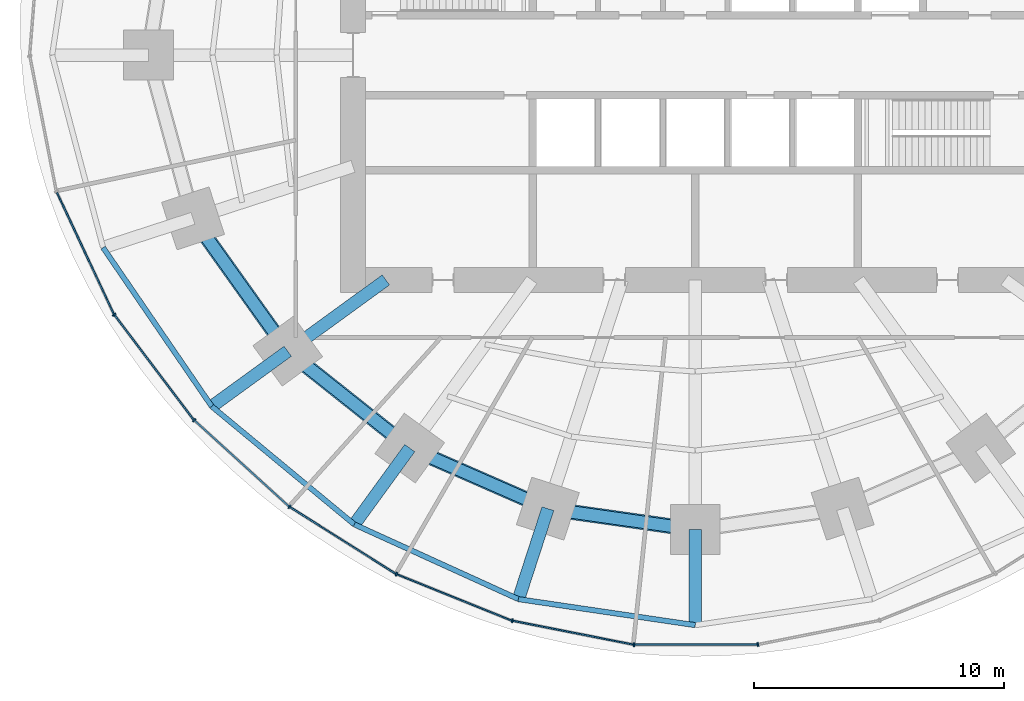
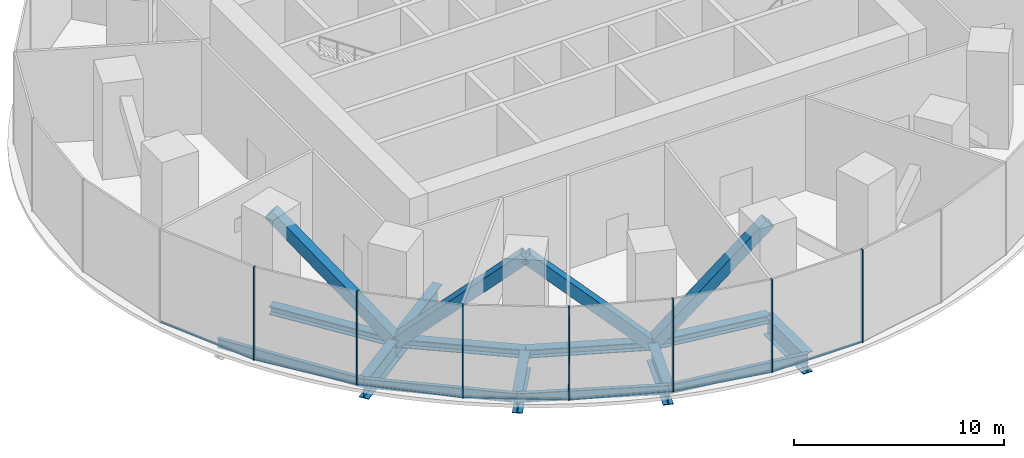
# One storey, part 2 of 13: 22 members, 9 beams, 2 elements without a shape of their own.
"""IFC4 building model written with IfcOpenShell, lengths in metres."""

from ifc_helpers import new_model, si_unit, direction, frame, origin, origin_2d, place, context, subcontext, project, spatial, rectangle, hollow_rectangle, i_section, extrude, material, material_profile, profile_set, type_object, element, aggregate, save


model = new_model("IFC4")

# Units and contexts
model_context = context("Model", 3, precision=1e-05, world=origin(), true_north=direction((0.0, 1.0)))
body_context = subcontext(model_context, "Body", "Model", "MODEL_VIEW")
ifc_project = project(units=[si_unit("LENGTHUNIT", "METRE"), si_unit("AREAUNIT", "SQUARE_METRE"), si_unit("VOLUMEUNIT", "CUBIC_METRE"), si_unit("PLANEANGLEUNIT", "RADIAN"), si_unit("MASSUNIT", "GRAM", prefix="KILO")], contexts=[model_context])

# Site, building, storey
site_placement = place(None, origin())
site = spatial("IfcSite", under=ifc_project, at=site_placement, CompositionType="ELEMENT")
building_placement = place(site_placement, origin())
building = spatial("IfcBuilding", under=site, at=building_placement, Name="Marramba Exchange Tower", CompositionType="ELEMENT")
storey_placement = place(building_placement, frame((0.0, 0.0, 86.800048828125)))
storey = spatial("IfcBuildingStorey", under=building, at=storey_placement, Name="L20", CompositionType="ELEMENT", Elevation=86.800048828125)

# Members
ifc_material_1 = material(Name="Steel AS/NZS 3679.2 grade 300", Category="steel")
ifc_material_profile_1 = material_profile(ifc_material_1, i_section(OverallWidth=0.5, OverallDepth=0.47998046875, WebThickness=0.0400390625, FlangeThickness=0.0400390625, at=origin_2d()), Name="500WC440")
ifc_profile_set_1 = profile_set([ifc_material_profile_1], Name="Steel AS/NZS 3679.2 grade 300")
member_type_1 = type_object("IfcMemberType", Name="Belt truss chord 500WC440", PredefinedType="CHORD", material=ifc_profile_set_1)
member_1_placement = place(storey_placement, frame((-20.109375, -6.533935546875, -0.43994140625), z_axis=(0.580637181111, -0.814162430914, 0.0), x_axis=(0.814162430914, 0.580637181111, 0.0)))
element("IfcMember", 1, at=member_1_placement, inside=storey, type_object=member_type_1, Name="Belt chord L20 TC12-TC13", PredefinedType="CHORD", context=body_context, shape_type="SweptSolid", body=[
    extrude(i_section(OverallWidth=0.5, OverallDepth=0.47998046875, WebThickness=0.0400390625, FlangeThickness=0.0400390625, at=origin_2d()), origin(), (0.0, 0.0, 1.0), 6.5341796875),
])
member_2_placement = place(storey_placement, frame((-16.3154296875, -11.853759765625, -0.43994140625), z_axis=(0.783139438128, -0.621846138887, 0.0), x_axis=(0.621846138887, 0.783139438128, 0.0)))
element("IfcMember", 2, at=member_2_placement, inside=storey, type_object=member_type_1, Name="Belt chord L20 TC13-TC14", PredefinedType="CHORD", context=body_context, shape_type="SweptSolid", body=[
    extrude(i_section(OverallWidth=0.5, OverallDepth=0.47998046875, WebThickness=0.0400390625, FlangeThickness=0.0400390625, at=origin_2d()), origin(), (0.0, 0.0, 1.0), 6.23779296875),
])
member_3_placement = place(storey_placement, frame((-11.430419921875, -15.732666015625, -0.43994140625), z_axis=(0.915876892158, -0.4014592363, 0.0), x_axis=(0.4014592363, 0.915876892158, 0.0)))
element("IfcMember", 3, at=member_3_placement, inside=storey, type_object=member_type_1, Name="Belt chord L20 TC14-TC15", PredefinedType="CHORD", context=body_context, shape_type="SweptSolid", body=[
    extrude(i_section(OverallWidth=0.5, OverallDepth=0.47998046875, WebThickness=0.0400390625, FlangeThickness=0.0400390625, at=origin_2d()), origin(), (0.0, 0.0, 1.0), 6.038818359375),
])
member_4_placement = place(storey_placement, frame((-5.899658203125, -18.156982421875, -0.43994140625), z_axis=(0.990036163016, -0.140813337152, 0.0), x_axis=(0.140813337152, 0.990036163016, 0.0)))
element("IfcMember", 4, at=member_4_placement, inside=storey, type_object=member_type_1, Name="Belt chord L20 TC15-TC16", PredefinedType="CHORD", context=body_context, shape_type="SweptSolid", body=[
    extrude(i_section(OverallWidth=0.5, OverallDepth=0.47998046875, WebThickness=0.0400390625, FlangeThickness=0.0400390625, at=origin_2d()), origin(), (0.0, 0.0, 1.0), 5.958984375),
])
ifc_material_2 = material(Name="Steel AS/NZS 3678 grade 350", Category="steel")
ifc_material_profile_2 = material_profile(ifc_material_2, hollow_rectangle(XDim=0.60009765625, YDim=0.60009765625, WallThickness=0.0400390625, at=origin_2d()), Name="600x600x40BOX")
ifc_profile_set_2 = profile_set([ifc_material_profile_2], Name="Steel AS/NZS 3678 grade 350")
member_type_2 = type_object("IfcMemberType", Name="Belt truss diagonal 600x600x40BOX", PredefinedType="BRACE", material=ifc_profile_set_2)
member_5_placement = place(storey_placement, frame((-20.109375, -6.533935546875, 5.159912109375), z_axis=(0.440879597365, -0.618196037746, -0.650737150885), x_axis=(0.814162430914, 0.580637181111, 0.0)))
element("IfcMember", 5, at=member_5_placement, inside=storey, type_object=member_type_2, Name="Belt truss BT20 diagonal 12", PredefinedType="BRACE", context=body_context, shape_type="SweptSolid", body=[
    extrude(hollow_rectangle(XDim=0.60009765625, YDim=0.60009765625, WallThickness=0.0400390625, at=origin_2d()), origin(), (0.0, 0.0, 1.0), 8.60546875),
])
member_6_placement = place(storey_placement, frame((-16.3154296875, -11.853759765625, -0.43994140625), z_axis=(0.582757533009, -0.462734353763, 0.668034861043), x_axis=(0.621846138887, 0.783139438128, 0.0)))
element("IfcMember", 6, at=member_6_placement, inside=storey, type_object=member_type_2, Name="Belt truss BT20 diagonal 13", PredefinedType="BRACE", context=body_context, shape_type="SweptSolid", body=[
    extrude(hollow_rectangle(XDim=0.60009765625, YDim=0.60009765625, WallThickness=0.0400390625, at=origin_2d()), origin(), (0.0, 0.0, 1.0), 8.382568359375),
])
member_7_placement = place(storey_placement, frame((-11.430419921875, -15.732666015625, 5.159912109375), z_axis=(0.67156810861, -0.294370588792, -0.679957522168), x_axis=(0.4014592363, 0.915876892158, 0.0)))
element("IfcMember", 7, at=member_7_placement, inside=storey, type_object=member_type_2, Name="Belt truss BT20 diagonal 14", PredefinedType="BRACE", context=body_context, shape_type="SweptSolid", body=[
    extrude(hollow_rectangle(XDim=0.60009765625, YDim=0.60009765625, WallThickness=0.0400390625, at=origin_2d()), origin(), (0.0, 0.0, 1.0), 8.235595703125),
])
member_8_placement = place(storey_placement, frame((-5.899658203125, -18.156982421875, -0.43994140625), z_axis=(0.721466673774, -0.102614564774, 0.684803687), x_axis=(0.140813337152, 0.990036163016, 0.0)))
element("IfcMember", 8, at=member_8_placement, inside=storey, type_object=member_type_2, Name="Belt truss BT20 diagonal 15", PredefinedType="BRACE", context=body_context, shape_type="SweptSolid", body=[
    extrude(hollow_rectangle(XDim=0.60009765625, YDim=0.60009765625, WallThickness=0.0400390625, at=origin_2d()), origin(), (0.0, 0.0, 1.0), 8.17724609375),
])

# Beams
ifc_material_profile_3 = material_profile(ifc_material_1, i_section(OverallWidth=0.5, OverallDepth=1.199951171875, WebThickness=0.01611328125, FlangeThickness=0.0400390625, at=origin_2d()), Name="1200WB455")
ifc_profile_set_3 = profile_set([ifc_material_profile_3], Name="Steel AS/NZS 3679.2 grade 300")
beam_type_1 = type_object("IfcBeamType", Name="Cantilever girder 1200WB455", PredefinedType="BEAM", material=ifc_profile_set_3)
beam_1_placement = place(storey_placement, frame((-16.3154296875, -11.853759765625, -0.800048828125), z_axis=(-0.809008346081, -0.587797155463, 0.0), x_axis=(0.587797155463, -0.809008346081, 0.0)))
element("IfcBeam", 9, at=beam_1_placement, inside=storey, type_object=beam_type_1, Name="Cantilever girder L20 TC13", PredefinedType="BEAM", context=body_context, shape_type="SweptSolid", body=[
    extrude(i_section(OverallWidth=0.5, OverallDepth=1.199951171875, WebThickness=0.01611328125, FlangeThickness=0.0400390625, at=origin_2d()), origin(), (0.0, 0.0, 1.0), 3.76025390625),
])
beam_2_placement = place(storey_placement, frame((-11.430419921875, -15.732666015625, -0.800048828125), z_axis=(-0.587787232741, -0.809015555491, 0.0), x_axis=(0.809015555491, -0.587787232741, 0.0)))
element("IfcBeam", 10, at=beam_2_placement, inside=storey, type_object=beam_type_1, Name="Cantilever girder L20 TC14", PredefinedType="BEAM", context=body_context, shape_type="SweptSolid", body=[
    extrude(i_section(OverallWidth=0.5, OverallDepth=1.199951171875, WebThickness=0.01611328125, FlangeThickness=0.0400390625, at=origin_2d()), origin(), (0.0, 0.0, 1.0), 3.7763671875),
])
beam_3_placement = place(storey_placement, frame((-5.899658203125, -18.156982421875, -0.800048828125), z_axis=(-0.309009272901, -0.951059025119, 0.0), x_axis=(0.951059025119, -0.309009272901, 0.0)))
element("IfcBeam", 11, at=beam_3_placement, inside=storey, type_object=beam_type_1, Name="Cantilever girder L20 TC15", PredefinedType="BEAM", context=body_context, shape_type="SweptSolid", body=[
    extrude(i_section(OverallWidth=0.5, OverallDepth=1.199951171875, WebThickness=0.01611328125, FlangeThickness=0.0400390625, at=origin_2d()), origin(), (0.0, 0.0, 1.0), 3.809814453125),
])
beam_4_placement = place(storey_placement, frame((0.0, -18.99609375, -0.800048828125), z_axis=(0.0, -1.0, 0.0), x_axis=(1.0, 0.0, 0.0)))
element("IfcBeam", 12, at=beam_4_placement, inside=storey, type_object=beam_type_1, Name="Cantilever girder L20 TC16", PredefinedType="BEAM", context=body_context, shape_type="SweptSolid", body=[
    extrude(i_section(OverallWidth=0.5, OverallDepth=1.199951171875, WebThickness=0.01611328125, FlangeThickness=0.0400390625, at=origin_2d()), origin(), (0.0, 0.0, 1.0), 3.825927734375),
])

# Curtain wall, members
ifc_material_3 = material(Name="Aluminium framing, bronze anodised", Category="aluminium")
curtain_wall_type = type_object("IfcCurtainWallType", Name="Plant floor louvred curtain wall", PredefinedType="USERDEFINED", material=ifc_material_3)
curtain_wall_1_placement = place(storey_placement, origin())
curtain_wall_1 = element("IfcCurtainWall", 13, at=curtain_wall_1_placement, inside=storey, type_object=curtain_wall_type, Name="Curtain wall CW6 L20 F16-F20", ObjectType="RIBBON CURTAIN WALL", PredefinedType="USERDEFINED")
ifc_material_4 = material(Name="Aluminium mullion, bronze anodised", Category="aluminium")
ifc_material_profile_4 = material_profile(ifc_material_4, rectangle(XDim=0.159912109375, YDim=0.06005859375, at=origin_2d()), Name="CW6 mullion 60x160")
ifc_profile_set_4 = profile_set([ifc_material_profile_4], Name="Aluminium mullion, bronze anodised")
member_type_3 = type_object("IfcMemberType", Name="Plant floor louvred curtain wall mullion", PredefinedType="MULLION", material=ifc_profile_set_4)
member_9_placement = place(storey_placement, frame((-23.26318359375, -10.389404296875, 0.0), z_axis=(0.0, 0.0, 1.0), x_axis=(0.797710591138, 0.603040473588, 0.0)))
member_9 = element("IfcMember", 14, at=member_9_placement, type_object=member_type_3, Name="CW6 mullion 1", PredefinedType="MULLION", context=body_context, shape_type="SweptSolid", body=[
    extrude(rectangle(XDim=0.159912109375, YDim=0.06005859375, at=origin_2d()), origin(), (0.0, 0.0, 1.0), 5.39990234375),
])
member_10_placement = place(storey_placement, frame((-20.063232421875, -14.61328125, 0.0), z_axis=(0.0, 0.0, 1.0), x_axis=(0.673058133441, 0.739589581463, 0.0)))
member_10 = element("IfcMember", 15, at=member_10_placement, type_object=member_type_3, Name="CW6 mullion 1", PredefinedType="MULLION", context=body_context, shape_type="SweptSolid", body=[
    extrude(rectangle(XDim=0.159912109375, YDim=0.06005859375, at=origin_2d()), origin(), (0.0, 0.0, 1.0), 5.39990234375),
])
member_11_placement = place(storey_placement, frame((-16.242431640625, -18.083251953125, 0.0), z_axis=(0.0, 0.0, 1.0), x_axis=(0.533514646612, 0.845790826298, 0.0)))
member_11 = element("IfcMember", 16, at=member_11_placement, type_object=member_type_3, Name="CW6 mullion 1", PredefinedType="MULLION", context=body_context, shape_type="SweptSolid", body=[
    extrude(rectangle(XDim=0.159912109375, YDim=0.06005859375, at=origin_2d()), origin(), (0.0, 0.0, 1.0), 5.39990234375),
])

curtain_wall_2_placement = place(storey_placement, origin())
curtain_wall_2 = element("IfcCurtainWall", 17, at=curtain_wall_2_placement, inside=storey, type_object=curtain_wall_type, Name="Curtain wall CW6 L20 F21-F25", ObjectType="RIBBON CURTAIN WALL", PredefinedType="USERDEFINED")
member_12_placement = place(storey_placement, frame((-11.96142578125, -20.77734375, 0.0), z_axis=(0.0, 0.0, 1.0), x_axis=(0.374218219325, 0.927340673283, 0.0)))
member_12 = element("IfcMember", 18, at=member_12_placement, type_object=member_type_3, Name="CW6 mullion 1", PredefinedType="MULLION", context=body_context, shape_type="SweptSolid", body=[
    extrude(rectangle(XDim=0.159912109375, YDim=0.06005859375, at=origin_2d()), origin(), (0.0, 0.0, 1.0), 5.39990234375),
])
member_13_placement = place(storey_placement, frame((-7.325439453125, -22.64208984375, 0.0), z_axis=(0.0, 0.0, 1.0), x_axis=(0.193961202977, 0.98100920064, 0.0)))
member_13 = element("IfcMember", 19, at=member_13_placement, type_object=member_type_3, Name="CW6 mullion 1", PredefinedType="MULLION", context=body_context, shape_type="SweptSolid", body=[
    extrude(rectangle(XDim=0.159912109375, YDim=0.06005859375, at=origin_2d()), origin(), (0.0, 0.0, 1.0), 5.39990234375),
])
member_14_placement = place(storey_placement, frame((-2.450439453125, -23.599853515625, 0.0), z_axis=(0.0, 0.0, 1.0), x_axis=(0.0, 1.0, 0.0)))
member_14 = element("IfcMember", 20, at=member_14_placement, type_object=member_type_3, Name="CW6 mullion 1", PredefinedType="MULLION", context=body_context, shape_type="SweptSolid", body=[
    extrude(rectangle(XDim=0.159912109375, YDim=0.06005859375, at=origin_2d()), origin(), (0.0, 0.0, 1.0), 5.39990234375),
])
member_15_placement = place(storey_placement, frame((2.509765625, -23.59423828125, 0.0), z_axis=(0.0, 0.0, 1.0), x_axis=(-0.193961202977, 0.98100920064, 0.0)))
member_15 = element("IfcMember", 21, at=member_15_placement, type_object=member_type_3, Name="CW6 mullion 1", PredefinedType="MULLION", context=body_context, shape_type="SweptSolid", body=[
    extrude(rectangle(XDim=0.159912109375, YDim=0.06005859375, at=origin_2d()), origin(), (0.0, 0.0, 1.0), 5.39990234375),
])

# Member
ifc_material_5 = material(Name="Aluminium transom, bronze anodised", Category="aluminium")
ifc_material_profile_5 = material_profile(ifc_material_5, rectangle(XDim=0.06005859375, YDim=0.1201171875, at=origin_2d()), Name="CW6 transom 60x120")
ifc_profile_set_5 = profile_set([ifc_material_profile_5], Name="Aluminium transom, bronze anodised")
member_type_4 = type_object("IfcMemberType", Name="Plant floor louvred curtain wall transom", PredefinedType="USERDEFINED", material=ifc_profile_set_5)
member_16_placement = place(storey_placement, frame((-25.559326171875, -5.492431640625, 0.030029296875), z_axis=(0.423494101671, -0.905898860718, 0.0), x_axis=(0.905898860718, 0.423494101671, 0.0)))
member_16 = element("IfcMember", 22, at=member_16_placement, type_object=member_type_4, Name="CW6 sill transom", ObjectType="TRANSOM", PredefinedType="USERDEFINED", context=body_context, shape_type="SweptSolid", body=[
    extrude(rectangle(XDim=0.06005859375, YDim=0.1201171875, at=origin_2d()), origin(), (0.0, 0.0, 1.0), 5.379150390625),
])

member_17_placement = place(storey_placement, frame((-23.2451171875, -10.413330078125, 0.030029296875), z_axis=(0.603037409419, -0.797712907531, 0.0), x_axis=(0.797712907531, 0.603037409419, 0.0)))
member_17 = element("IfcMember", 23, at=member_17_placement, type_object=member_type_4, Name="CW6 sill transom", ObjectType="TRANSOM", PredefinedType="USERDEFINED", context=body_context, shape_type="SweptSolid", body=[
    extrude(rectangle(XDim=0.06005859375, YDim=0.1201171875, at=origin_2d()), origin(), (0.0, 0.0, 1.0), 5.239501953125),
])

member_18_placement = place(storey_placement, frame((-20.041015625, -14.63330078125, 0.030029296875), z_axis=(0.739582688456, -0.673065707741, 0.0), x_axis=(0.673065707741, 0.739582688456, 0.0)))
member_18 = element("IfcMember", 24, at=member_18_placement, type_object=member_type_4, Name="CW6 sill transom", ObjectType="TRANSOM", PredefinedType="USERDEFINED", context=body_context, shape_type="SweptSolid", body=[
    extrude(rectangle(XDim=0.06005859375, YDim=0.1201171875, at=origin_2d()), origin(), (0.0, 0.0, 1.0), 5.101806640625),
])

member_19_placement = place(storey_placement, frame((-16.217041015625, -18.09912109375, 0.030029296875), z_axis=(0.845776602594, -0.533537195053, 0.0), x_axis=(0.533537195053, 0.845776602594, 0.0)))
member_19 = element("IfcMember", 25, at=member_19_placement, type_object=member_type_4, Name="CW6 sill transom", ObjectType="TRANSOM", PredefinedType="USERDEFINED", context=body_context, shape_type="SweptSolid", body=[
    extrude(rectangle(XDim=0.06005859375, YDim=0.1201171875, at=origin_2d()), origin(), (0.0, 0.0, 1.0), 4.998779296875),
])

aggregate(curtain_wall_1, [member_16, member_9, member_17, member_10, member_18, member_11, member_19])

member_20_placement = place(storey_placement, frame((-11.93359375, -20.78857421875, 0.030029296875), z_axis=(0.927340197166, -0.374219399176, 0.0), x_axis=(0.374219399176, 0.927340197166, 0.0)))
member_20 = element("IfcMember", 26, at=member_20_placement, type_object=member_type_4, Name="CW6 sill transom", ObjectType="TRANSOM", PredefinedType="USERDEFINED", context=body_context, shape_type="SweptSolid", body=[
    extrude(rectangle(XDim=0.06005859375, YDim=0.1201171875, at=origin_2d()), origin(), (0.0, 0.0, 1.0), 4.937255859375),
])

member_21_placement = place(storey_placement, frame((-7.296142578125, -22.64794921875, 0.030029296875), z_axis=(0.981018169547, -0.193915834883, 0.0), x_axis=(0.193915834883, 0.981018169547, 0.0)))
member_21 = element("IfcMember", 27, at=member_21_placement, type_object=member_type_4, Name="CW6 sill transom", ObjectType="TRANSOM", PredefinedType="USERDEFINED", context=body_context, shape_type="SweptSolid", body=[
    extrude(rectangle(XDim=0.06005859375, YDim=0.1201171875, at=origin_2d()), origin(), (0.0, 0.0, 1.0), 4.908935546875),
])

member_22_placement = place(storey_placement, frame((-2.42041015625, -23.599853515625, 0.030029296875), z_axis=(1.0, 0.0, 0.0), x_axis=(0.0, 1.0, 0.0)))
member_22 = element("IfcMember", 28, at=member_22_placement, type_object=member_type_4, Name="CW6 sill transom", ObjectType="TRANSOM", PredefinedType="USERDEFINED", context=body_context, shape_type="SweptSolid", body=[
    extrude(rectangle(XDim=0.06005859375, YDim=0.1201171875, at=origin_2d()), origin(), (0.0, 0.0, 1.0), 4.90087890625),
])

aggregate(curtain_wall_2, [member_12, member_20, member_13, member_21, member_14, member_22, member_15])

# Beams
ifc_material_profile_6 = material_profile(ifc_material_1, i_section(OverallWidth=0.5, OverallDepth=1.199951171875, WebThickness=0.01611328125, FlangeThickness=0.0400390625, at=origin_2d()), Name="1200WB455")
ifc_profile_set_6 = profile_set([ifc_material_profile_6], Name="Steel AS/NZS 3679.2 grade 300")
beam_type_2 = type_object("IfcBeamType", Name="Radial girder 1200WB455", PredefinedType="BEAM", material=ifc_profile_set_6)
beam_5_placement = place(storey_placement, frame((-12.387451171875, -9.0, -0.800048828125), z_axis=(-0.809025189606, -0.58777397236, 0.0), x_axis=(0.58777397236, -0.809025189606, 0.0)))
element("IfcBeam", 29, at=beam_5_placement, inside=storey, type_object=beam_type_2, Name="Radial girder L20 TC13", PredefinedType="BEAM", context=body_context, shape_type="SweptSolid", body=[
    extrude(i_section(OverallWidth=0.5, OverallDepth=1.199951171875, WebThickness=0.01611328125, FlangeThickness=0.0400390625, at=origin_2d()), origin(), (0.0, 0.0, 1.0), 4.855224609375),
])
ifc_material_6 = material(Name="Steel AS/NZS 3679.1 grade 300", Category="steel")
ifc_material_profile_7 = material_profile(ifc_material_6, i_section(OverallWidth=0.208984375, OverallDepth=0.528076171875, WebThickness=0.009521484375, FlangeThickness=0.01318359375, FilletRadius=0.013916015625, at=origin_2d()), Name="530UB82.0")
ifc_profile_set_7 = profile_set([ifc_material_profile_7], Name="Steel AS/NZS 3679.1 grade 300")
beam_type_3 = type_object("IfcBeamType", Name="Slab edge beam 530UB82.0", PredefinedType="SPANDREL", material=ifc_profile_set_7)
beam_6_placement = place(storey_placement, frame((-23.709716796875, -7.703857421875, -0.464111328125), z_axis=(0.564740697285, -0.82526840775, 0.0), x_axis=(0.82526840775, 0.564740697285, 0.0)))
element("IfcBeam", 30, at=beam_6_placement, inside=storey, type_object=beam_type_3, Name="Slab edge beam L20 TC12-TC13", PredefinedType="SPANDREL", context=body_context, shape_type="SweptSolid", body=[
    extrude(i_section(OverallWidth=0.208984375, OverallDepth=0.528076171875, WebThickness=0.009521484375, FlangeThickness=0.01318359375, FilletRadius=0.013916015625, at=origin_2d()), origin(), (0.0, 0.0, 1.0), 7.706787109375),
])
beam_7_placement = place(storey_placement, frame((-19.357421875, -14.06396484375, -0.464111328125), z_axis=(0.770353575372, -0.637616945283, 0.0), x_axis=(0.637616945283, 0.770353575372, 0.0)))
element("IfcBeam", 31, at=beam_7_placement, inside=storey, type_object=beam_type_3, Name="Slab edge beam L20 TC13-TC14", PredefinedType="SPANDREL", context=body_context, shape_type="SweptSolid", body=[
    extrude(i_section(OverallWidth=0.208984375, OverallDepth=0.528076171875, WebThickness=0.009521484375, FlangeThickness=0.01318359375, FilletRadius=0.013916015625, at=origin_2d()), origin(), (0.0, 0.0, 1.0), 7.40869140625),
])
beam_8_placement = place(storey_placement, frame((-13.650146484375, -18.787841796875, -0.464111328125), z_axis=(0.910126690081, -0.414330071324, 0.0), x_axis=(0.414330071324, 0.910126690081, 0.0)))
element("IfcBeam", 32, at=beam_8_placement, inside=storey, type_object=beam_type_3, Name="Slab edge beam L20 TC14-TC15", PredefinedType="SPANDREL", context=body_context, shape_type="SweptSolid", body=[
    extrude(i_section(OverallWidth=0.208984375, OverallDepth=0.528076171875, WebThickness=0.009521484375, FlangeThickness=0.01318359375, FilletRadius=0.013916015625, at=origin_2d()), origin(), (0.0, 0.0, 1.0), 7.222412109375),
])
beam_9_placement = place(storey_placement, frame((-7.076904296875, -21.7802734375, -0.464111328125), z_axis=(0.989338462178, -0.145634498848, 0.0), x_axis=(0.145634498848, 0.989338462178, 0.0)))
element("IfcBeam", 33, at=beam_9_placement, inside=storey, type_object=beam_type_3, Name="Slab edge beam L20 TC15-TC16", PredefinedType="SPANDREL", context=body_context, shape_type="SweptSolid", body=[
    extrude(i_section(OverallWidth=0.208984375, OverallDepth=0.528076171875, WebThickness=0.009521484375, FlangeThickness=0.01318359375, FilletRadius=0.013916015625, at=origin_2d()), origin(), (0.0, 0.0, 1.0), 7.153076171875),
])

save(model, "model.ifc")
